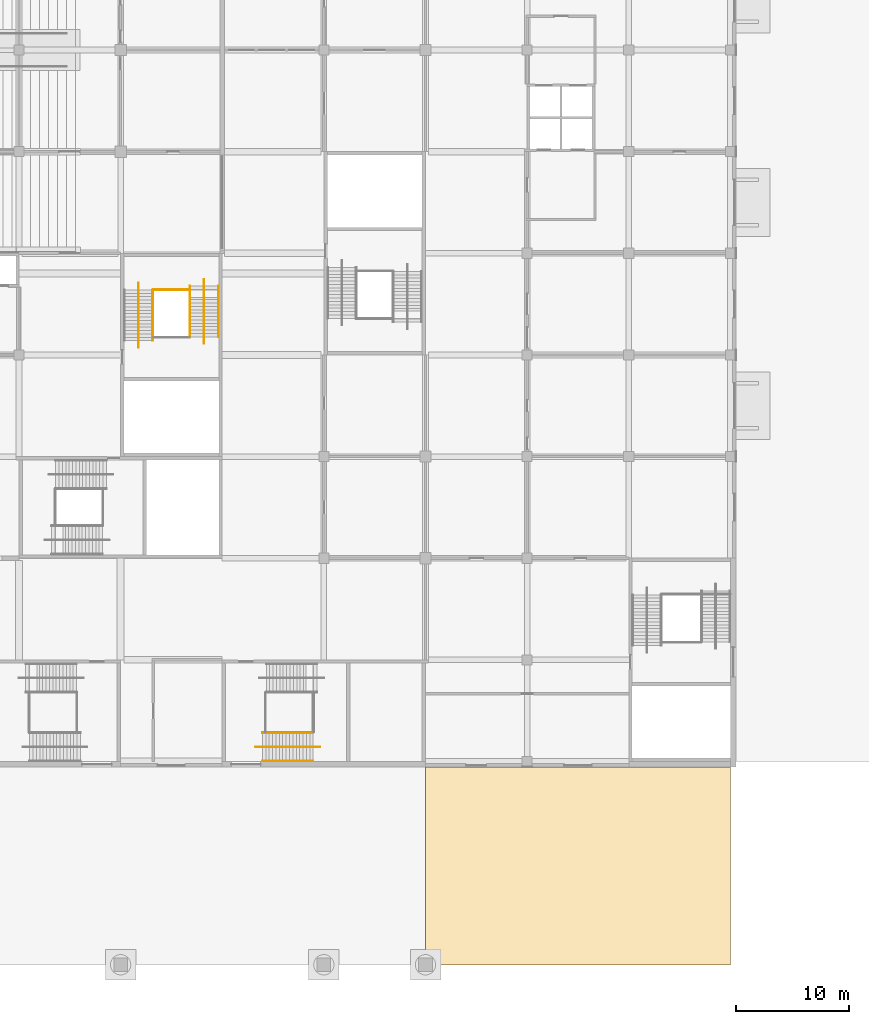
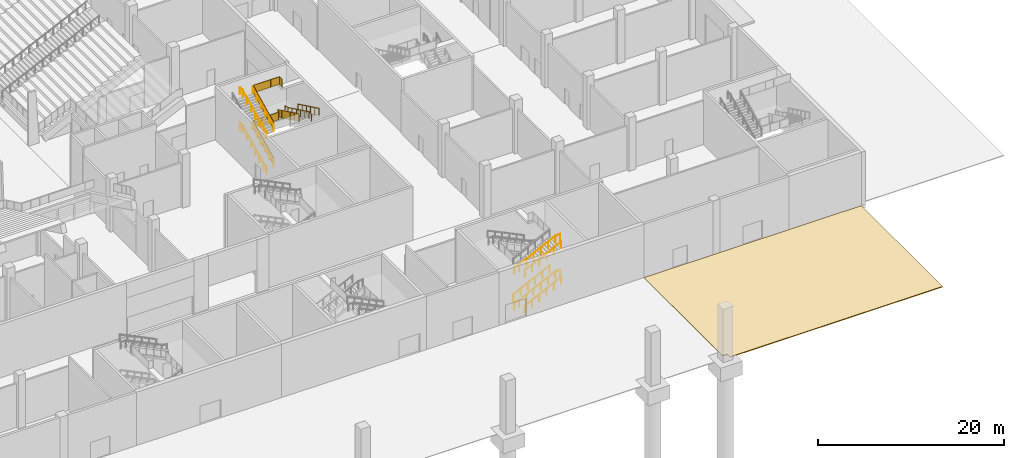
# One storey, part 72 of 92: 17 railings, 1 covering.
"""IFC4 building model written with IfcOpenShell, lengths in metres."""

import ifcopenshell
import ifcopenshell.guid

model = None  # the IFC model being written
_history = None  # IfcOwnerHistory: only IFC2X3 demands one
_inside = {}  # id of a spatial element -> (the spatial element, [elements in it])
_under = {}  # id of a project, library or spatial element -> (it, [spatial elements below it])
_declared = {}  # id of a project -> (the project, [libraries it declares])
_typed = {}  # id of a type object -> (the type object, [elements of that type])
_made_of = {}  # id of a material, layer set ... -> (it, [elements and type objects made of it])


def new_model(schema):
    """Start an empty IFC model of exactly this schema.

    Asked for "IFC4X3", IfcOpenShell would pick the latest addendum, in which some entities
    have other attributes; the version numbers below select the first issue.
    IFC2X3 requires an IfcOwnerHistory on every rooted entity: one is made here for all.
    """
    global model, _history
    if schema == "IFC4X3":
        model = ifcopenshell.file(schema_version=(4, 3, 0, 0))
    else:
        model = ifcopenshell.file(schema=schema)
    _inside.clear()
    _under.clear()
    _declared.clear()
    _typed.clear()
    _made_of.clear()
    _history = None
    if model.schema == "IFC2X3":
        org = make("IfcOrganization", Name="unknown")
        user = make(
            "IfcPersonAndOrganization",
            ThePerson=make("IfcPerson", FamilyName="unknown"),
            TheOrganization=org,
        )
        app = make(
            "IfcApplication",
            ApplicationDeveloper=org,
            Version="unknown",
            ApplicationFullName="unknown",
            ApplicationIdentifier="unknown",
        )
        _history = make(
            "IfcOwnerHistory",
            OwningUser=user,
            OwningApplication=app,
            ChangeAction="ADDED",
            CreationDate=0,
        )
    return model


def make(cls, **values):
    """One entity of the class cls with the attributes given. An attribute that is None is left unset."""
    return model.create_entity(
        cls, **{name: value for name, value in values.items() if value is not None}
    )


def rooted(cls, **values):
    """An entity with a GlobalId (a new one), such as an element, a storey or a relation."""
    return make(cls, GlobalId=ifcopenshell.guid.new(), OwnerHistory=_history, **values)


def si_unit(unit_type, name, prefix=None):
    """IfcSIUnit, for example si_unit("LENGTHUNIT", "METRE", prefix="MILLI")."""
    return make("IfcSIUnit", UnitType=unit_type, Prefix=prefix, Name=name)


def assignment(units):
    """IfcUnitAssignment: the units of a project."""
    return None if units is None else make("IfcUnitAssignment", Units=units)


def point(xyz):
    """IfcCartesianPoint."""
    return None if xyz is None else make("IfcCartesianPoint", Coordinates=xyz)


def direction(xyz):
    """IfcDirection."""
    return None if xyz is None else make("IfcDirection", DirectionRatios=xyz)


def frame(location, z_axis=None, x_axis=None):
    """IfcAxis2Placement3D, a coordinate frame: its origin and axes. An axis left out is left unset."""
    return make(
        "IfcAxis2Placement3D",
        Location=point(location),
        Axis=direction(z_axis),
        RefDirection=direction(x_axis),
    )


def frame_2d(location, x_axis=None):
    """IfcAxis2Placement2D, a coordinate frame in the plane: its origin and x axis."""
    return make(
        "IfcAxis2Placement2D", Location=point(location), RefDirection=direction(x_axis)
    )


def origin():
    """The frame at (0, 0, 0) with its axes left unset."""
    return frame((0.0, 0.0, 0.0))


def origin_2d():
    """The frame at (0, 0) in the plane with its x axis left unset."""
    return frame_2d((0.0, 0.0))


def place(relative_to, where):
    """IfcLocalPlacement: puts the frame where relative to a parent placement (None: the world)."""
    return make(
        "IfcLocalPlacement", PlacementRelTo=relative_to, RelativePlacement=where
    )


def context(
    kind, dimensions, precision=None, world=None, true_north=None, identifier=None
):
    """IfcGeometricRepresentationContext, for example the 3D "Model" context."""
    return make(
        "IfcGeometricRepresentationContext",
        ContextIdentifier=identifier,
        ContextType=kind,
        CoordinateSpaceDimension=dimensions,
        Precision=precision,
        WorldCoordinateSystem=world,
        TrueNorth=true_north,
    )


def subcontext(parent, identifier, kind, view, scale=None):
    """IfcGeometricRepresentationSubContext, for example "Body" below "Model"."""
    return make(
        "IfcGeometricRepresentationSubContext",
        ContextIdentifier=identifier,
        ContextType=kind,
        ParentContext=parent,
        TargetScale=scale,
        TargetView=view,
    )


def project(units=None, contexts=None):
    """IfcProject with its units and contexts."""
    return rooted(
        "IfcProject",
        Name="project",
        RepresentationContexts=contexts,
        UnitsInContext=assignment(units),
    )


def spatial(cls, under=None, at=None, **own):
    """A site, building, storey or space (cls), placed at a placement, below another one or the project."""
    s = rooted(cls, ObjectPlacement=at, **own)
    if under is not None:
        _under.setdefault(under.id(), (under, []))[1].append(s)
    return s


def polyline(points):
    """IfcPolyline through the points."""
    return make("IfcPolyline", Points=[point(p) for p in points])


def profile(cls, at=None, kind="AREA", **sizes):
    """A parametric profile (cls). Its sizes go by their IFC names, for example OverallWidth=200.0."""
    return make(cls, ProfileType=kind, Position=at, **sizes)


def circle(**sizes):
    """IfcCircleProfileDef."""
    return profile("IfcCircleProfileDef", **sizes)


def outline(outer, holes=None, kind="AREA"):
    """IfcArbitraryClosedProfileDef: a profile drawn as a closed curve; with holes, ...WithVoids."""
    if holes is None:
        return make("IfcArbitraryClosedProfileDef", ProfileType=kind, OuterCurve=outer)
    return make(
        "IfcArbitraryProfileDefWithVoids",
        ProfileType=kind,
        OuterCurve=outer,
        InnerCurves=holes,
    )


def extrude(swept, where, along, depth):
    """IfcExtrudedAreaSolid: the profile swept, set in the frame where, extruded along a direction by depth."""
    return make(
        "IfcExtrudedAreaSolid",
        SweptArea=swept,
        Position=where,
        ExtrudedDirection=direction(along),
        Depth=depth,
    )


def shape(context_of_items, identifier, shape_type, items):
    """IfcShapeRepresentation: the items that make up one representation, for example the "Body"."""
    return make(
        "IfcShapeRepresentation",
        ContextOfItems=context_of_items,
        RepresentationIdentifier=identifier,
        RepresentationType=shape_type,
        Items=items,
    )


def material(Name=None, Category=None):
    """IfcMaterial."""
    return make("IfcMaterial", Name=Name, Category=Category)


def layer(
    of_material, thickness, ventilated=None, Name=None, Category=None, Priority=None
):
    """IfcMaterialLayer: one layer of a wall or slab, of a material (None: an air gap)."""
    return make(
        "IfcMaterialLayer",
        Material=of_material,
        LayerThickness=thickness,
        IsVentilated=ventilated,
        Name=Name,
        Category=Category,
        Priority=Priority,
    )


def layer_set(layers, Name=None):
    """IfcMaterialLayerSet."""
    return make("IfcMaterialLayerSet", MaterialLayers=layers, LayerSetName=Name)


def made_of(thing, what):
    """Note that an element or type object is made of a material, layer set ...; save() writes the relation."""
    if what is not None:
        _made_of.setdefault(what.id(), (what, []))[1].append(thing)
    return thing


def type_object(cls, material=None, **own):
    """A type object (cls), such as IfcWallType, which elements share."""
    return made_of(rooted(cls, **own), material)


def element(
    cls,
    number,
    at=None,
    inside=None,
    cuts=None,
    type_object=None,
    material=None,
    context=None,
    identifier="Body",
    shape_type=None,
    held_by="IfcProductDefinitionShape",
    body=None,
    shapes=None,
    **own,
):
    """One element of the class cls, such as IfcWall. Its Tag is "e" and its number.

    at: its placement. inside: the storey or other place that contains it. cuts: it is an
    opening in that element (IfcRelVoidsElement). A single representation is given by context,
    identifier, shape_type and body (its items); several are given by shapes. held_by: the class
    of the entity that holds the representations. save() writes the other relations.
    """
    e = rooted(cls, Tag="e%d" % number, ObjectPlacement=at, **own)
    if body is not None:
        shapes = [shape(context, identifier, shape_type, body)]
    if shapes is not None:
        e.Representation = make(held_by, Representations=shapes)
    if inside is not None:
        _inside.setdefault(inside.id(), (inside, []))[1].append(e)
    if cuts is not None:
        rooted(
            "IfcRelVoidsElement", RelatingBuildingElement=cuts, RelatedOpeningElement=e
        )
    if type_object is not None:
        _typed.setdefault(type_object.id(), (type_object, []))[1].append(e)
    return made_of(e, material)


def aggregate(whole, parts):
    """IfcRelAggregates: a whole, such as a stair, and the parts it consists of."""
    return rooted("IfcRelAggregates", RelatingObject=whole, RelatedObjects=parts)


def save(model, path):
    """Write the relations noted so far, then the file.

    IfcRelAggregates (storeys below a building ...), IfcRelContainedInSpatialStructure (elements
    in a storey), IfcRelDefinesByType, IfcRelAssociatesMaterial and IfcRelDeclares: one each for
    every whole, place, type object, material and project.
    """
    for whole, parts in _under.values():
        aggregate(whole, parts)
    for where, things in _inside.values():
        rooted(
            "IfcRelContainedInSpatialStructure",
            RelatedElements=things,
            RelatingStructure=where,
        )
    for kind, things in _typed.values():
        rooted("IfcRelDefinesByType", RelatedObjects=things, RelatingType=kind)
    for what, things in _made_of.values():
        rooted("IfcRelAssociatesMaterial", RelatedObjects=things, RelatingMaterial=what)
    for by, libraries in _declared.values():
        rooted("IfcRelDeclares", RelatingContext=by, RelatedDefinitions=libraries)
    model.write(path)


model = new_model("IFC4")

# Units and contexts
model_context = context("Model", 3, precision=1e-05, world=origin(), true_north=direction((0.0, 1.0)))
body_context = subcontext(model_context, "Body", "Model", "MODEL_VIEW")
ifc_project = project(units=[si_unit("LENGTHUNIT", "METRE"), si_unit("AREAUNIT", "SQUARE_METRE"), si_unit("VOLUMEUNIT", "CUBIC_METRE"), si_unit("PLANEANGLEUNIT", "RADIAN"), si_unit("MASSUNIT", "GRAM", prefix="KILO")], contexts=[model_context])

# Site, building, storey
site_placement = place(None, origin())
site = spatial("IfcSite", under=ifc_project, at=site_placement, CompositionType="ELEMENT")
building_placement = place(site_placement, origin())
building = spatial("IfcBuilding", under=site, at=building_placement, Name="Silverbay Arena", CompositionType="ELEMENT")
storey_placement = place(building_placement, origin())
storey = spatial("IfcBuildingStorey", under=building, at=storey_placement, Name="L00", CompositionType="ELEMENT", Elevation=0.0)

# Covering
ifc_material_1 = material(Name="Granite paving slabs", Category="masonry")
ifc_layer = layer(ifc_material_1, 0.10009765625)
ifc_layer_set = layer_set([ifc_layer], Name="Granite paving slabs")
covering_type = type_object("IfcCoveringType", Name="Granite paving 100", PredefinedType="FLOORING", material=ifc_layer_set)
covering_placement = place(storey_placement, frame((0.0, 0.0, -0.10009765625)))
element("IfcCovering", 1, at=covering_placement, inside=storey, type_object=covering_type, Name="Paving south colonnade court", PredefinedType="FLOORING", context=body_context, shape_type="SweptSolid", body=[
    extrude(outline(polyline([(207.60009765625, 0.0), (207.60009765625, 0.60009765625), (207.0, 0.60009765625), (207.0, 17.5), (234.0, 17.5), (234.0, 0.0), (207.60009765625, 0.0)])), origin(), (0.0, 0.0, 1.0), 0.10009765625),
])

# Railings
ifc_material_2 = material(Name="Stainless steel", Category="steel")
railing_type_1 = type_object("IfcRailingType", Name="Stair guard 1100", PredefinedType="GUARDRAIL", material=ifc_material_2)
railing_1_placement = place(storey_placement, frame((182.875, 55.2568359375, 0.145751953125)))
element("IfcRailing", 2, at=railing_1_placement, inside=storey, type_object=railing_type_1, Name="Stair ST-SE2 L00 to L01 flight 1 guard right", PredefinedType="GUARDRAIL", context=body_context, shape_type="SweptSolid", body=[
    extrude(circle(Radius=0.02392578125, at=origin_2d()), frame((0.0, 0.0, 1.076171875), z_axis=(0.0, 0.899367854138, 0.437192706873), x_axis=(-1.0, 0.0, 0.0)), (0.0, 0.0, 1.0), 5.00341796875),
    extrude(outline(polyline([(-0.008056640625, 0.046142578125), (0.907958984375, 0.491455078125), (0.907958984375, 1.494384765625), (-0.008056640625, 1.049072265625), (-0.008056640625, 0.046142578125)])), frame((-0.0029296875, 0.0, 0.0), z_axis=(1.0, 0.0, 0.0), x_axis=(0.0, 1.0, 0.0)), (0.0, 0.0, 1.0), 0.006103515625),
    extrude(outline(polyline([(-0.008056640625, 0.483642578125), (0.907958984375, 0.928955078125), (0.907958984375, 1.931884765625), (-0.008056640625, 1.486572265625), (-0.008056640625, 0.483642578125)])), frame((-0.0029296875, 0.89990234375, 0.0), z_axis=(1.0, 0.0, 0.0), x_axis=(0.0, 1.0, 0.0)), (0.0, 0.0, 1.0), 0.006103515625),
    extrude(outline(polyline([(-0.008056640625, 0.921142578125), (0.907958984375, 1.366455078125), (0.907958984375, 2.369384765625), (-0.008056640625, 1.924072265625), (-0.008056640625, 0.921142578125)])), frame((-0.0029296875, 1.800048828125, 0.0), z_axis=(1.0, 0.0, 0.0), x_axis=(0.0, 1.0, 0.0)), (0.0, 0.0, 1.0), 0.006103515625),
    extrude(outline(polyline([(-0.008056640625, 1.358642578125), (0.907958984375, 1.803955078125), (0.907958984375, 2.806884765625), (-0.008056640625, 2.361572265625), (-0.008056640625, 1.358642578125)])), frame((-0.0029296875, 2.699951171875, 0.0), z_axis=(1.0, 0.0, 0.0), x_axis=(0.0, 1.0, 0.0)), (0.0, 0.0, 1.0), 0.006103515625),
    extrude(outline(polyline([(-0.008056640625, 1.796142578125), (0.907958984375, 2.241455078125), (0.907958984375, 3.244384765625), (-0.008056640625, 2.799072265625), (-0.008056640625, 1.796142578125)])), frame((-0.0029296875, 3.60009765625, 0.0), z_axis=(1.0, 0.0, 0.0), x_axis=(0.0, 1.0, 0.0)), (0.0, 0.0, 1.0), 0.006103515625),
    extrude(circle(Radius=0.02099609375, at=origin_2d()), origin(), (0.0, 0.0, 1.0), 1.052001953125),
    extrude(circle(Radius=0.02099609375, at=origin_2d()), frame((0.0, 0.89990234375, 0.4375)), (0.0, 0.0, 1.0), 1.052001953125),
    extrude(circle(Radius=0.02099609375, at=origin_2d()), frame((0.0, 1.800048828125, 0.875)), (0.0, 0.0, 1.0), 1.052001953125),
    extrude(circle(Radius=0.02099609375, at=origin_2d()), frame((0.0, 2.699951171875, 1.3125)), (0.0, 0.0, 1.0), 1.052001953125),
    extrude(circle(Radius=0.02099609375, at=origin_2d()), frame((0.0, 3.60009765625, 1.75)), (0.0, 0.0, 1.0), 1.052001953125),
    extrude(circle(Radius=0.02099609375, at=origin_2d()), frame((0.0, 4.5, 2.1875)), (0.0, 0.0, 1.0), 1.052001953125),
])
railing_2_placement = place(storey_placement, frame((186.125, 60.10009765625, 2.479248046875)))
element("IfcRailing", 3, at=railing_2_placement, inside=storey, type_object=railing_type_1, Name="Stair ST-SE2 L00 to L01 flight 2 guard left", PredefinedType="GUARDRAIL", context=body_context, shape_type="SweptSolid", body=[
    extrude(circle(Radius=0.02392578125, at=origin_2d()), frame((0.0, 0.0, 1.076171875), z_axis=(0.0, -0.899367854138, 0.437192706873), x_axis=(1.0, 0.0, 0.0)), (0.0, 0.0, 1.0), 5.00341796875),
    extrude(outline(polyline([(-0.008056640625, 0.046142578125), (0.907958984375, 0.491455078125), (0.907958984375, 1.494384765625), (-0.008056640625, 1.049072265625), (-0.008056640625, 0.046142578125)])), frame((0.0029296875, 0.0, 0.0), z_axis=(-1.0, 0.0, 0.0), x_axis=(0.0, -1.0, 0.0)), (0.0, 0.0, 1.0), 0.006103515625),
    extrude(outline(polyline([(-0.008056640625, 0.483642578125), (0.907958984375, 0.928955078125), (0.907958984375, 1.931884765625), (-0.008056640625, 1.486572265625), (-0.008056640625, 0.483642578125)])), frame((0.0029296875, -0.89990234375, 0.0), z_axis=(-1.0, 0.0, 0.0), x_axis=(0.0, -1.0, 0.0)), (0.0, 0.0, 1.0), 0.006103515625),
    extrude(outline(polyline([(-0.008056640625, 0.921142578125), (0.907958984375, 1.366455078125), (0.907958984375, 2.369384765625), (-0.008056640625, 1.924072265625), (-0.008056640625, 0.921142578125)])), frame((0.0029296875, -1.800048828125, 0.0), z_axis=(-1.0, 0.0, 0.0), x_axis=(0.0, -1.0, 0.0)), (0.0, 0.0, 1.0), 0.006103515625),
    extrude(outline(polyline([(-0.008056640625, 1.358642578125), (0.907958984375, 1.803955078125), (0.907958984375, 2.806884765625), (-0.008056640625, 2.361572265625), (-0.008056640625, 1.358642578125)])), frame((0.0029296875, -2.699951171875, 0.0), z_axis=(-1.0, 0.0, 0.0), x_axis=(0.0, -1.0, 0.0)), (0.0, 0.0, 1.0), 0.006103515625),
    extrude(outline(polyline([(-0.008056640625, 1.796142578125), (0.907958984375, 2.241455078125), (0.907958984375, 3.244384765625), (-0.008056640625, 2.799072265625), (-0.008056640625, 1.796142578125)])), frame((0.0029296875, -3.60009765625, 0.0), z_axis=(-1.0, 0.0, 0.0), x_axis=(0.0, -1.0, 0.0)), (0.0, 0.0, 1.0), 0.006103515625),
    extrude(circle(Radius=0.02099609375, at=origin_2d()), origin(), (0.0, 0.0, 1.0), 1.052001953125),
    extrude(circle(Radius=0.02099609375, at=origin_2d()), frame((0.0, -0.89990234375, 0.4375)), (0.0, 0.0, 1.0), 1.052001953125),
    extrude(circle(Radius=0.02099609375, at=origin_2d()), frame((0.0, -1.800048828125, 0.875)), (0.0, 0.0, 1.0), 1.052001953125),
    extrude(circle(Radius=0.02099609375, at=origin_2d()), frame((0.0, -2.699951171875, 1.3125)), (0.0, 0.0, 1.0), 1.052001953125),
    extrude(circle(Radius=0.02099609375, at=origin_2d()), frame((0.0, -3.60009765625, 1.75)), (0.0, 0.0, 1.0), 1.052001953125),
    extrude(circle(Radius=0.02099609375, at=origin_2d()), frame((0.0, -4.5, 2.1875)), (0.0, 0.0, 1.0), 1.052001953125),
])
railing_3_placement = place(storey_placement, frame((182.875, 55.2568359375, 4.8125)))
element("IfcRailing", 4, at=railing_3_placement, inside=storey, type_object=railing_type_1, Name="Stair ST-SE2 L00 to L01 flight 3 guard right", PredefinedType="GUARDRAIL", context=body_context, shape_type="SweptSolid", body=[
    extrude(circle(Radius=0.02392578125, at=origin_2d()), frame((0.0, 0.0, 1.076171875), z_axis=(0.0, 0.899367854138, 0.437192706873), x_axis=(-1.0, 0.0, 0.0)), (0.0, 0.0, 1.0), 5.00341796875),
    extrude(outline(polyline([(-0.008056640625, 0.046142578125), (0.907958984375, 0.491455078125), (0.907958984375, 1.494384765625), (-0.008056640625, 1.049072265625), (-0.008056640625, 0.046142578125)])), frame((-0.0029296875, 0.0, 0.0), z_axis=(1.0, 0.0, 0.0), x_axis=(0.0, 1.0, 0.0)), (0.0, 0.0, 1.0), 0.006103515625),
    extrude(outline(polyline([(-0.008056640625, 0.483642578125), (0.907958984375, 0.928955078125), (0.907958984375, 1.931884765625), (-0.008056640625, 1.486572265625), (-0.008056640625, 0.483642578125)])), frame((-0.0029296875, 0.89990234375, 0.0), z_axis=(1.0, 0.0, 0.0), x_axis=(0.0, 1.0, 0.0)), (0.0, 0.0, 1.0), 0.006103515625),
    extrude(outline(polyline([(-0.008056640625, 0.921142578125), (0.907958984375, 1.366455078125), (0.907958984375, 2.369384765625), (-0.008056640625, 1.924072265625), (-0.008056640625, 0.921142578125)])), frame((-0.0029296875, 1.800048828125, 0.0), z_axis=(1.0, 0.0, 0.0), x_axis=(0.0, 1.0, 0.0)), (0.0, 0.0, 1.0), 0.006103515625),
    extrude(outline(polyline([(-0.008056640625, 1.358642578125), (0.907958984375, 1.803955078125), (0.907958984375, 2.806884765625), (-0.008056640625, 2.361572265625), (-0.008056640625, 1.358642578125)])), frame((-0.0029296875, 2.699951171875, 0.0), z_axis=(1.0, 0.0, 0.0), x_axis=(0.0, 1.0, 0.0)), (0.0, 0.0, 1.0), 0.006103515625),
    extrude(outline(polyline([(-0.008056640625, 1.796142578125), (0.907958984375, 2.241455078125), (0.907958984375, 3.244384765625), (-0.008056640625, 2.799072265625), (-0.008056640625, 1.796142578125)])), frame((-0.0029296875, 3.60009765625, 0.0), z_axis=(1.0, 0.0, 0.0), x_axis=(0.0, 1.0, 0.0)), (0.0, 0.0, 1.0), 0.006103515625),
    extrude(circle(Radius=0.02099609375, at=origin_2d()), origin(), (0.0, 0.0, 1.0), 1.052001953125),
    extrude(circle(Radius=0.02099609375, at=origin_2d()), frame((0.0, 0.89990234375, 0.4375)), (0.0, 0.0, 1.0), 1.052001953125),
    extrude(circle(Radius=0.02099609375, at=origin_2d()), frame((0.0, 1.800048828125, 0.875)), (0.0, 0.0, 1.0), 1.052001953125),
    extrude(circle(Radius=0.02099609375, at=origin_2d()), frame((0.0, 2.699951171875, 1.3125)), (0.0, 0.0, 1.0), 1.052001953125),
    extrude(circle(Radius=0.02099609375, at=origin_2d()), frame((0.0, 3.60009765625, 1.75)), (0.0, 0.0, 1.0), 1.052001953125),
    extrude(circle(Radius=0.02099609375, at=origin_2d()), frame((0.0, 4.5, 2.1875)), (0.0, 0.0, 1.0), 1.052001953125),
])
railing_4_placement = place(storey_placement, frame((182.89990234375, 59.806884765625, 2.333251953125)))
element("IfcRailing", 5, at=railing_4_placement, inside=storey, type_object=railing_type_1, Name="Stair ST-SE2 L00 to L01 landing 1 guard", PredefinedType="GUARDRAIL", context=body_context, shape_type="SweptSolid", body=[
    extrude(circle(Radius=0.02392578125, at=origin_2d()), frame((0.0, 0.0, 1.076171875), z_axis=(1.0, 0.0, 0.0), x_axis=(0.0, 1.0, 0.0)), (0.0, 0.0, 1.0), 3.2001953125),
    extrude(outline(polyline([(-0.008056640625, 0.050048828125), (1.07470703125, 0.050048828125), (1.07470703125, 1.052978515625), (-0.008056640625, 1.052978515625), (-0.008056640625, 0.050048828125)])), frame((0.0, 0.0029296875, 0.0), z_axis=(0.0, -1.0, 0.0), x_axis=(1.0, 0.0, 0.0)), (0.0, 0.0, 1.0), 0.006103515625),
    extrude(outline(polyline([(-0.008056640625, 0.050048828125), (1.07470703125, 0.050048828125), (1.07470703125, 1.052978515625), (-0.008056640625, 1.052978515625), (-0.008056640625, 0.050048828125)])), frame((1.066650390625, 0.0029296875, 0.0), z_axis=(0.0, -1.0, 0.0), x_axis=(1.0, 0.0, 0.0)), (0.0, 0.0, 1.0), 0.006103515625),
    extrude(outline(polyline([(-0.008056640625, 0.050048828125), (1.07470703125, 0.050048828125), (1.07470703125, 1.052978515625), (-0.008056640625, 1.052978515625), (-0.008056640625, 0.050048828125)])), frame((2.133544921875, 0.0029296875, 0.0), z_axis=(0.0, -1.0, 0.0), x_axis=(1.0, 0.0, 0.0)), (0.0, 0.0, 1.0), 0.006103515625),
    extrude(circle(Radius=0.02099609375, at=origin_2d()), origin(), (0.0, 0.0, 1.0), 1.052001953125),
    extrude(circle(Radius=0.02099609375, at=origin_2d()), frame((1.066650390625, 0.0, 0.0)), (0.0, 0.0, 1.0), 1.052001953125),
    extrude(circle(Radius=0.02099609375, at=origin_2d()), frame((2.133544921875, 0.0, 0.0)), (0.0, 0.0, 1.0), 1.052001953125),
    extrude(circle(Radius=0.02099609375, at=origin_2d()), frame((3.2001953125, 0.0, 0.0)), (0.0, 0.0, 1.0), 1.052001953125),
])
railing_5_placement = place(storey_placement, frame((186.14990234375, 59.14990234375, 7.0)))
element("IfcRailing", 6, at=railing_5_placement, inside=storey, type_object=railing_type_1, Name="Stair ST-SE2 L00 to L01 landing 3 guard", PredefinedType="GUARDRAIL", context=body_context, shape_type="SweptSolid", body=[
    extrude(circle(Radius=0.02392578125, at=origin_2d()), frame((0.0, 0.0, 1.076171875), z_axis=(0.0, 1.0, 0.0), x_axis=(-1.0, 0.0, 0.0)), (0.0, 0.0, 1.0), 0.60693359375),
    extrude(outline(polyline([(-0.008056640625, 0.050048828125), (0.614990234375, 0.050048828125), (0.614990234375, 1.052978515625), (-0.008056640625, 1.052978515625), (-0.008056640625, 0.050048828125)])), frame((-0.0029296875, 0.0, 0.0), z_axis=(1.0, 0.0, 0.0), x_axis=(0.0, 1.0, 0.0)), (0.0, 0.0, 1.0), 0.006103515625),
    extrude(circle(Radius=0.02392578125, at=origin_2d()), frame((0.0, 0.60693359375, 1.076171875), z_axis=(-1.0, 0.0, 0.0), x_axis=(0.0, -1.0, 0.0)), (0.0, 0.0, 1.0), 3.25),
    extrude(outline(polyline([(-0.008056640625, 0.050048828125), (1.09130859375, 0.050048828125), (1.09130859375, 1.052978515625), (-0.008056640625, 1.052978515625), (-0.008056640625, 0.050048828125)])), frame((0.0, 0.60400390625, 0.0), z_axis=(0.0, 1.0, 0.0), x_axis=(-1.0, 0.0, 0.0)), (0.0, 0.0, 1.0), 0.006103515625),
    extrude(outline(polyline([(-0.008056640625, 0.050048828125), (1.09130859375, 0.050048828125), (1.09130859375, 1.052978515625), (-0.008056640625, 1.052978515625), (-0.008056640625, 0.050048828125)])), frame((-1.083251953125, 0.60400390625, 0.0), z_axis=(0.0, 1.0, 0.0), x_axis=(-1.0, 0.0, 0.0)), (0.0, 0.0, 1.0), 0.006103515625),
    extrude(outline(polyline([(-0.008056640625, 0.050048828125), (1.09130859375, 0.050048828125), (1.09130859375, 1.052978515625), (-0.008056640625, 1.052978515625), (-0.008056640625, 0.050048828125)])), frame((-2.166748046875, 0.60400390625, 0.0), z_axis=(0.0, 1.0, 0.0), x_axis=(-1.0, 0.0, 0.0)), (0.0, 0.0, 1.0), 0.006103515625),
    extrude(circle(Radius=0.02099609375, at=origin_2d()), origin(), (0.0, 0.0, 1.0), 1.052001953125),
    extrude(circle(Radius=0.02099609375, at=origin_2d()), frame((0.0, 0.60693359375, 0.0)), (0.0, 0.0, 1.0), 1.052001953125),
    extrude(circle(Radius=0.02099609375, at=origin_2d()), frame((-1.083251953125, 0.60693359375, 0.0)), (0.0, 0.0, 1.0), 1.052001953125),
    extrude(circle(Radius=0.02099609375, at=origin_2d()), frame((-2.166748046875, 0.60693359375, 0.0)), (0.0, 0.0, 1.0), 1.052001953125),
    extrude(circle(Radius=0.02099609375, at=origin_2d()), frame((-3.25, 0.60693359375, 0.0)), (0.0, 0.0, 1.0), 1.052001953125),
])
ifc_material_3 = material(Name="Stainless steel", Category="steel")
railing_type_2 = type_object("IfcRailingType", Name="Stair handrail 900", PredefinedType="HANDRAIL", material=ifc_material_3)
for number, where, name in (
    (7, (192.556884765625, 20.535888671875, 0.145751953125), "Stair ST-S6 L00 to L01 flight 1 handrail left"),
    (8, (192.556884765625, 18.050048828125, 0.145751953125), "Stair ST-S6 L00 to L01 flight 1 handrail right"),
):
    element("IfcRailing", number, at=place(storey_placement, frame(where)), inside=storey, type_object=railing_type_2, Name=name, PredefinedType="HANDRAIL", context=body_context, shape_type="SweptSolid", body=[
        extrude(circle(Radius=0.02392578125, at=origin_2d()), frame((0.0, 0.0, 0.8759765625), z_axis=(0.899367854138, 0.0, 0.437192706873), x_axis=(0.0, 1.0, 0.0)), (0.0, 0.0, 1.0), 5.00341796875),
        extrude(circle(Radius=0.02099609375, at=origin_2d()), origin(), (0.0, 0.0, 1.0), 0.851806640625),
        extrude(circle(Radius=0.02099609375, at=origin_2d()), frame((0.89990234375, 0.0, 0.4375)), (0.0, 0.0, 1.0), 0.851806640625),
        extrude(circle(Radius=0.02099609375, at=origin_2d()), frame((1.800048828125, 0.0, 0.875)), (0.0, 0.0, 1.0), 0.851806640625),
        extrude(circle(Radius=0.02099609375, at=origin_2d()), frame((2.699951171875, 0.0, 1.3125)), (0.0, 0.0, 1.0), 0.851806640625),
        extrude(circle(Radius=0.02099609375, at=origin_2d()), frame((3.60009765625, 0.0, 1.75)), (0.0, 0.0, 1.0), 0.851806640625),
        extrude(circle(Radius=0.02099609375, at=origin_2d()), frame((4.5, 0.0, 2.1875)), (0.0, 0.0, 1.0), 0.851806640625),
    ])
railing_6_placement = place(storey_placement, frame((191.956787109375, 19.300048828125, 0.0)))
element("IfcRailing", 9, at=railing_6_placement, inside=storey, type_object=railing_type_2, Name="Stair ST-S6 L00 to L01 flight 1 central handrail", PredefinedType="HANDRAIL", context=body_context, shape_type="SweptSolid", body=[
    extrude(circle(Radius=0.02392578125, at=origin_2d()), frame((0.0, 0.0, 0.8759765625), z_axis=(0.971748522905, 0.0, 0.236018660771), x_axis=(0.0, 1.0, 0.0)), (0.0, 0.0, 1.0), 0.617431640625),
    extrude(circle(Radius=0.02392578125, at=origin_2d()), frame((0.60009765625, 0.0, 1.021484375), z_axis=(0.899367854138, 0.0, 0.437192706873), x_axis=(0.0, 1.0, 0.0)), (0.0, 0.0, 1.0), 5.00341796875),
    extrude(circle(Radius=0.02392578125, at=origin_2d()), frame((5.10009765625, 0.0, 3.208984375), z_axis=(1.0, 0.0, 0.0), x_axis=(0.0, 1.0, 0.0)), (0.0, 0.0, 1.0), 0.60009765625),
    extrude(circle(Radius=0.02099609375, at=origin_2d()), origin(), (0.0, 0.0, 1.0), 0.851806640625),
    extrude(circle(Radius=0.02099609375, at=origin_2d()), frame((0.60009765625, 0.0, 0.145751953125)), (0.0, 0.0, 1.0), 0.851806640625),
    extrude(circle(Radius=0.02099609375, at=origin_2d()), frame((1.5, 0.0, 0.583251953125)), (0.0, 0.0, 1.0), 0.851806640625),
    extrude(circle(Radius=0.02099609375, at=origin_2d()), frame((2.400146484375, 0.0, 1.020751953125)), (0.0, 0.0, 1.0), 0.851806640625),
    extrude(circle(Radius=0.02099609375, at=origin_2d()), frame((3.300048828125, 0.0, 1.458251953125)), (0.0, 0.0, 1.0), 0.851806640625),
    extrude(circle(Radius=0.02099609375, at=origin_2d()), frame((4.2001953125, 0.0, 1.895751953125)), (0.0, 0.0, 1.0), 0.851806640625),
    extrude(circle(Radius=0.02099609375, at=origin_2d()), frame((5.10009765625, 0.0, 2.333251953125)), (0.0, 0.0, 1.0), 0.851806640625),
    extrude(circle(Radius=0.02099609375, at=origin_2d()), frame((5.7001953125, 0.0, 2.333251953125)), (0.0, 0.0, 1.0), 0.851806640625),
])
railing_7_placement = place(storey_placement, frame((192.556884765625, 18.050048828125, 4.8125)))
element("IfcRailing", 10, at=railing_7_placement, inside=storey, type_object=railing_type_2, Name="Stair ST-S6 L00 to L01 flight 3 handrail right", PredefinedType="HANDRAIL", context=body_context, shape_type="SweptSolid", body=[
    extrude(circle(Radius=0.02392578125, at=origin_2d()), frame((0.0, 0.0, 0.8759765625), z_axis=(0.899367854138, 0.0, 0.437192706873), x_axis=(0.0, 1.0, 0.0)), (0.0, 0.0, 1.0), 5.00341796875),
    extrude(circle(Radius=0.02099609375, at=origin_2d()), origin(), (0.0, 0.0, 1.0), 0.851806640625),
    extrude(circle(Radius=0.02099609375, at=origin_2d()), frame((0.89990234375, 0.0, 0.4375)), (0.0, 0.0, 1.0), 0.851806640625),
    extrude(circle(Radius=0.02099609375, at=origin_2d()), frame((1.800048828125, 0.0, 0.875)), (0.0, 0.0, 1.0), 0.851806640625),
    extrude(circle(Radius=0.02099609375, at=origin_2d()), frame((2.699951171875, 0.0, 1.3125)), (0.0, 0.0, 1.0), 0.851806640625),
    extrude(circle(Radius=0.02099609375, at=origin_2d()), frame((3.60009765625, 0.0, 1.75)), (0.0, 0.0, 1.0), 0.851806640625),
    extrude(circle(Radius=0.02099609375, at=origin_2d()), frame((4.5, 0.0, 2.1875)), (0.0, 0.0, 1.0), 0.851806640625),
])
railing_8_placement = place(storey_placement, frame((191.956787109375, 19.300048828125, 4.666748046875)))
element("IfcRailing", 11, at=railing_8_placement, inside=storey, type_object=railing_type_2, Name="Stair ST-S6 L00 to L01 flight 3 central handrail", PredefinedType="HANDRAIL", context=body_context, shape_type="SweptSolid", body=[
    extrude(circle(Radius=0.02392578125, at=origin_2d()), frame((0.0, 0.0, 0.8759765625), z_axis=(0.971748522905, 0.0, 0.236018660771), x_axis=(0.0, 1.0, 0.0)), (0.0, 0.0, 1.0), 0.617431640625),
    extrude(circle(Radius=0.02392578125, at=origin_2d()), frame((0.60009765625, 0.0, 1.021484375), z_axis=(0.899367854138, 0.0, 0.437192706873), x_axis=(0.0, 1.0, 0.0)), (0.0, 0.0, 1.0), 5.00341796875),
    extrude(circle(Radius=0.02392578125, at=origin_2d()), frame((5.10009765625, 0.0, 3.208984375), z_axis=(1.0, 0.0, 0.0), x_axis=(0.0, 1.0, 0.0)), (0.0, 0.0, 1.0), 0.60009765625),
    extrude(circle(Radius=0.02099609375, at=origin_2d()), origin(), (0.0, 0.0, 1.0), 0.851806640625),
    extrude(circle(Radius=0.02099609375, at=origin_2d()), frame((0.60009765625, 0.0, 0.145751953125)), (0.0, 0.0, 1.0), 0.851806640625),
    extrude(circle(Radius=0.02099609375, at=origin_2d()), frame((1.5, 0.0, 0.583251953125)), (0.0, 0.0, 1.0), 0.851806640625),
    extrude(circle(Radius=0.02099609375, at=origin_2d()), frame((2.400146484375, 0.0, 1.020751953125)), (0.0, 0.0, 1.0), 0.851806640625),
    extrude(circle(Radius=0.02099609375, at=origin_2d()), frame((3.300048828125, 0.0, 1.458251953125)), (0.0, 0.0, 1.0), 0.851806640625),
    extrude(circle(Radius=0.02099609375, at=origin_2d()), frame((4.2001953125, 0.0, 1.895751953125)), (0.0, 0.0, 1.0), 0.851806640625),
    extrude(circle(Radius=0.02099609375, at=origin_2d()), frame((5.10009765625, 0.0, 2.333251953125)), (0.0, 0.0, 1.0), 0.851806640625),
    extrude(circle(Radius=0.02099609375, at=origin_2d()), frame((5.7001953125, 0.0, 2.333251953125)), (0.0, 0.0, 1.0), 0.851806640625),
])
railing_9_placement = place(storey_placement, frame((182.8359375, 55.2568359375, 0.145751953125)))
element("IfcRailing", 12, at=railing_9_placement, inside=storey, type_object=railing_type_2, Name="Stair ST-SE2 L00 to L01 flight 1 handrail right", PredefinedType="HANDRAIL", context=body_context, shape_type="SweptSolid", body=[
    extrude(circle(Radius=0.02392578125, at=origin_2d()), frame((0.0, 0.0, 0.8759765625), z_axis=(0.0, 0.899367854138, 0.437192706873), x_axis=(-1.0, 0.0, 0.0)), (0.0, 0.0, 1.0), 5.00341796875),
    extrude(circle(Radius=0.02099609375, at=origin_2d()), origin(), (0.0, 0.0, 1.0), 0.851806640625),
    extrude(circle(Radius=0.02099609375, at=origin_2d()), frame((0.0, 0.89990234375, 0.4375)), (0.0, 0.0, 1.0), 0.851806640625),
    extrude(circle(Radius=0.02099609375, at=origin_2d()), frame((0.0, 1.800048828125, 0.875)), (0.0, 0.0, 1.0), 0.851806640625),
    extrude(circle(Radius=0.02099609375, at=origin_2d()), frame((0.0, 2.699951171875, 1.3125)), (0.0, 0.0, 1.0), 0.851806640625),
    extrude(circle(Radius=0.02099609375, at=origin_2d()), frame((0.0, 3.60009765625, 1.75)), (0.0, 0.0, 1.0), 0.851806640625),
    extrude(circle(Radius=0.02099609375, at=origin_2d()), frame((0.0, 4.5, 2.1875)), (0.0, 0.0, 1.0), 0.851806640625),
])
railing_10_placement = place(storey_placement, frame((181.60009765625, 54.656982421875, 0.0)))
element("IfcRailing", 13, at=railing_10_placement, inside=storey, type_object=railing_type_2, Name="Stair ST-SE2 L00 to L01 flight 1 central handrail", PredefinedType="HANDRAIL", context=body_context, shape_type="SweptSolid", body=[
    extrude(circle(Radius=0.02392578125, at=origin_2d()), frame((0.0, 0.0, 0.8759765625), z_axis=(0.0, 0.971726487806, 0.23610936639), x_axis=(-1.0, 0.0, 0.0)), (0.0, 0.0, 1.0), 0.6171875),
    extrude(circle(Radius=0.02392578125, at=origin_2d()), frame((0.0, 0.599853515625, 1.021484375), z_axis=(0.0, 0.899367854138, 0.437192706873), x_axis=(-1.0, 0.0, 0.0)), (0.0, 0.0, 1.0), 5.00341796875),
    extrude(circle(Radius=0.02392578125, at=origin_2d()), frame((0.0, 5.099853515625, 3.208984375), z_axis=(0.0, 1.0, 0.0), x_axis=(-1.0, 0.0, 0.0)), (0.0, 0.0, 1.0), 0.60009765625),
    extrude(circle(Radius=0.02099609375, at=origin_2d()), origin(), (0.0, 0.0, 1.0), 0.851806640625),
    extrude(circle(Radius=0.02099609375, at=origin_2d()), frame((0.0, 0.599853515625, 0.145751953125)), (0.0, 0.0, 1.0), 0.851806640625),
    extrude(circle(Radius=0.02099609375, at=origin_2d()), frame((0.0, 1.499755859375, 0.583251953125)), (0.0, 0.0, 1.0), 0.851806640625),
    extrude(circle(Radius=0.02099609375, at=origin_2d()), frame((0.0, 2.39990234375, 1.020751953125)), (0.0, 0.0, 1.0), 0.851806640625),
    extrude(circle(Radius=0.02099609375, at=origin_2d()), frame((0.0, 3.2998046875, 1.458251953125)), (0.0, 0.0, 1.0), 0.851806640625),
    extrude(circle(Radius=0.02099609375, at=origin_2d()), frame((0.0, 4.199951171875, 1.895751953125)), (0.0, 0.0, 1.0), 0.851806640625),
    extrude(circle(Radius=0.02099609375, at=origin_2d()), frame((0.0, 5.099853515625, 2.333251953125)), (0.0, 0.0, 1.0), 0.851806640625),
    extrude(circle(Radius=0.02099609375, at=origin_2d()), frame((0.0, 5.699951171875, 2.333251953125)), (0.0, 0.0, 1.0), 0.851806640625),
])
for number, where, name in (
    (14, (186.1640625, 60.10009765625, 2.479248046875), "Stair ST-SE2 L00 to L01 flight 2 handrail left"),
    (15, (188.64990234375, 60.10009765625, 2.479248046875), "Stair ST-SE2 L00 to L01 flight 2 handrail right"),
):
    element("IfcRailing", number, at=place(storey_placement, frame(where)), inside=storey, type_object=railing_type_2, Name=name, PredefinedType="HANDRAIL", context=body_context, shape_type="SweptSolid", body=[
        extrude(circle(Radius=0.02392578125, at=origin_2d()), frame((0.0, 0.0, 0.8759765625), z_axis=(0.0, -0.899367854138, 0.437192706873), x_axis=(1.0, 0.0, 0.0)), (0.0, 0.0, 1.0), 5.00341796875),
        extrude(circle(Radius=0.02099609375, at=origin_2d()), origin(), (0.0, 0.0, 1.0), 0.851806640625),
        extrude(circle(Radius=0.02099609375, at=origin_2d()), frame((0.0, -0.89990234375, 0.4375)), (0.0, 0.0, 1.0), 0.851806640625),
        extrude(circle(Radius=0.02099609375, at=origin_2d()), frame((0.0, -1.800048828125, 0.875)), (0.0, 0.0, 1.0), 0.851806640625),
        extrude(circle(Radius=0.02099609375, at=origin_2d()), frame((0.0, -2.699951171875, 1.3125)), (0.0, 0.0, 1.0), 0.851806640625),
        extrude(circle(Radius=0.02099609375, at=origin_2d()), frame((0.0, -3.60009765625, 1.75)), (0.0, 0.0, 1.0), 0.851806640625),
        extrude(circle(Radius=0.02099609375, at=origin_2d()), frame((0.0, -4.5, 2.1875)), (0.0, 0.0, 1.0), 0.851806640625),
    ])
railing_11_placement = place(storey_placement, frame((187.39990234375, 60.699951171875, 2.333251953125)))
element("IfcRailing", 16, at=railing_11_placement, inside=storey, type_object=railing_type_2, Name="Stair ST-SE2 L00 to L01 flight 2 central handrail", PredefinedType="HANDRAIL", context=body_context, shape_type="SweptSolid", body=[
    extrude(circle(Radius=0.02392578125, at=origin_2d()), frame((0.0, 0.0, 0.8759765625), z_axis=(0.0, -0.971635685089, 0.236482759334), x_axis=(1.0, 0.0, 0.0)), (0.0, 0.0, 1.0), 0.617431640625),
    extrude(circle(Radius=0.02392578125, at=origin_2d()), frame((0.0, -0.599853515625, 1.02197265625), z_axis=(0.0, -0.899367854138, 0.437192706873), x_axis=(1.0, 0.0, 0.0)), (0.0, 0.0, 1.0), 5.00341796875),
    extrude(circle(Radius=0.02392578125, at=origin_2d()), frame((0.0, -5.099853515625, 3.20947265625), z_axis=(0.0, -1.0, 0.0), x_axis=(1.0, 0.0, 0.0)), (0.0, 0.0, 1.0), 0.60009765625),
    extrude(circle(Radius=0.02099609375, at=origin_2d()), origin(), (0.0, 0.0, 1.0), 0.851806640625),
    extrude(circle(Radius=0.02099609375, at=origin_2d()), frame((0.0, -0.599853515625, 0.14599609375)), (0.0, 0.0, 1.0), 0.851806640625),
    extrude(circle(Radius=0.02099609375, at=origin_2d()), frame((0.0, -1.499755859375, 0.58349609375)), (0.0, 0.0, 1.0), 0.851806640625),
    extrude(circle(Radius=0.02099609375, at=origin_2d()), frame((0.0, -2.39990234375, 1.02099609375)), (0.0, 0.0, 1.0), 0.851806640625),
    extrude(circle(Radius=0.02099609375, at=origin_2d()), frame((0.0, -3.2998046875, 1.45849609375)), (0.0, 0.0, 1.0), 0.851806640625),
    extrude(circle(Radius=0.02099609375, at=origin_2d()), frame((0.0, -4.199951171875, 1.89599609375)), (0.0, 0.0, 1.0), 0.851806640625),
    extrude(circle(Radius=0.02099609375, at=origin_2d()), frame((0.0, -5.099853515625, 2.33349609375)), (0.0, 0.0, 1.0), 0.851806640625),
    extrude(circle(Radius=0.02099609375, at=origin_2d()), frame((0.0, -5.699951171875, 2.33349609375)), (0.0, 0.0, 1.0), 0.851806640625),
])
railing_12_placement = place(storey_placement, frame((182.8359375, 55.2568359375, 4.8125)))
element("IfcRailing", 17, at=railing_12_placement, inside=storey, type_object=railing_type_2, Name="Stair ST-SE2 L00 to L01 flight 3 handrail right", PredefinedType="HANDRAIL", context=body_context, shape_type="SweptSolid", body=[
    extrude(circle(Radius=0.02392578125, at=origin_2d()), frame((0.0, 0.0, 0.8759765625), z_axis=(0.0, 0.899367854138, 0.437192706873), x_axis=(-1.0, 0.0, 0.0)), (0.0, 0.0, 1.0), 5.00341796875),
    extrude(circle(Radius=0.02099609375, at=origin_2d()), origin(), (0.0, 0.0, 1.0), 0.851806640625),
    extrude(circle(Radius=0.02099609375, at=origin_2d()), frame((0.0, 0.89990234375, 0.4375)), (0.0, 0.0, 1.0), 0.851806640625),
    extrude(circle(Radius=0.02099609375, at=origin_2d()), frame((0.0, 1.800048828125, 0.875)), (0.0, 0.0, 1.0), 0.851806640625),
    extrude(circle(Radius=0.02099609375, at=origin_2d()), frame((0.0, 2.699951171875, 1.3125)), (0.0, 0.0, 1.0), 0.851806640625),
    extrude(circle(Radius=0.02099609375, at=origin_2d()), frame((0.0, 3.60009765625, 1.75)), (0.0, 0.0, 1.0), 0.851806640625),
    extrude(circle(Radius=0.02099609375, at=origin_2d()), frame((0.0, 4.5, 2.1875)), (0.0, 0.0, 1.0), 0.851806640625),
])
railing_13_placement = place(storey_placement, frame((181.60009765625, 54.656982421875, 4.666748046875)))
element("IfcRailing", 18, at=railing_13_placement, inside=storey, type_object=railing_type_2, Name="Stair ST-SE2 L00 to L01 flight 3 central handrail", PredefinedType="HANDRAIL", context=body_context, shape_type="SweptSolid", body=[
    extrude(circle(Radius=0.02392578125, at=origin_2d()), frame((0.0, 0.0, 0.8759765625), z_axis=(0.0, 0.971726487806, 0.23610936639), x_axis=(-1.0, 0.0, 0.0)), (0.0, 0.0, 1.0), 0.6171875),
    extrude(circle(Radius=0.02392578125, at=origin_2d()), frame((0.0, 0.599853515625, 1.021484375), z_axis=(0.0, 0.899367854138, 0.437192706873), x_axis=(-1.0, 0.0, 0.0)), (0.0, 0.0, 1.0), 5.00341796875),
    extrude(circle(Radius=0.02392578125, at=origin_2d()), frame((0.0, 5.099853515625, 3.208984375), z_axis=(0.0, 1.0, 0.0), x_axis=(-1.0, 0.0, 0.0)), (0.0, 0.0, 1.0), 0.60009765625),
    extrude(circle(Radius=0.02099609375, at=origin_2d()), origin(), (0.0, 0.0, 1.0), 0.851806640625),
    extrude(circle(Radius=0.02099609375, at=origin_2d()), frame((0.0, 0.599853515625, 0.145751953125)), (0.0, 0.0, 1.0), 0.851806640625),
    extrude(circle(Radius=0.02099609375, at=origin_2d()), frame((0.0, 1.499755859375, 0.583251953125)), (0.0, 0.0, 1.0), 0.851806640625),
    extrude(circle(Radius=0.02099609375, at=origin_2d()), frame((0.0, 2.39990234375, 1.020751953125)), (0.0, 0.0, 1.0), 0.851806640625),
    extrude(circle(Radius=0.02099609375, at=origin_2d()), frame((0.0, 3.2998046875, 1.458251953125)), (0.0, 0.0, 1.0), 0.851806640625),
    extrude(circle(Radius=0.02099609375, at=origin_2d()), frame((0.0, 4.199951171875, 1.895751953125)), (0.0, 0.0, 1.0), 0.851806640625),
    extrude(circle(Radius=0.02099609375, at=origin_2d()), frame((0.0, 5.099853515625, 2.333251953125)), (0.0, 0.0, 1.0), 0.851806640625),
    extrude(circle(Radius=0.02099609375, at=origin_2d()), frame((0.0, 5.699951171875, 2.333251953125)), (0.0, 0.0, 1.0), 0.851806640625),
])

save(model, "model.ifc")
